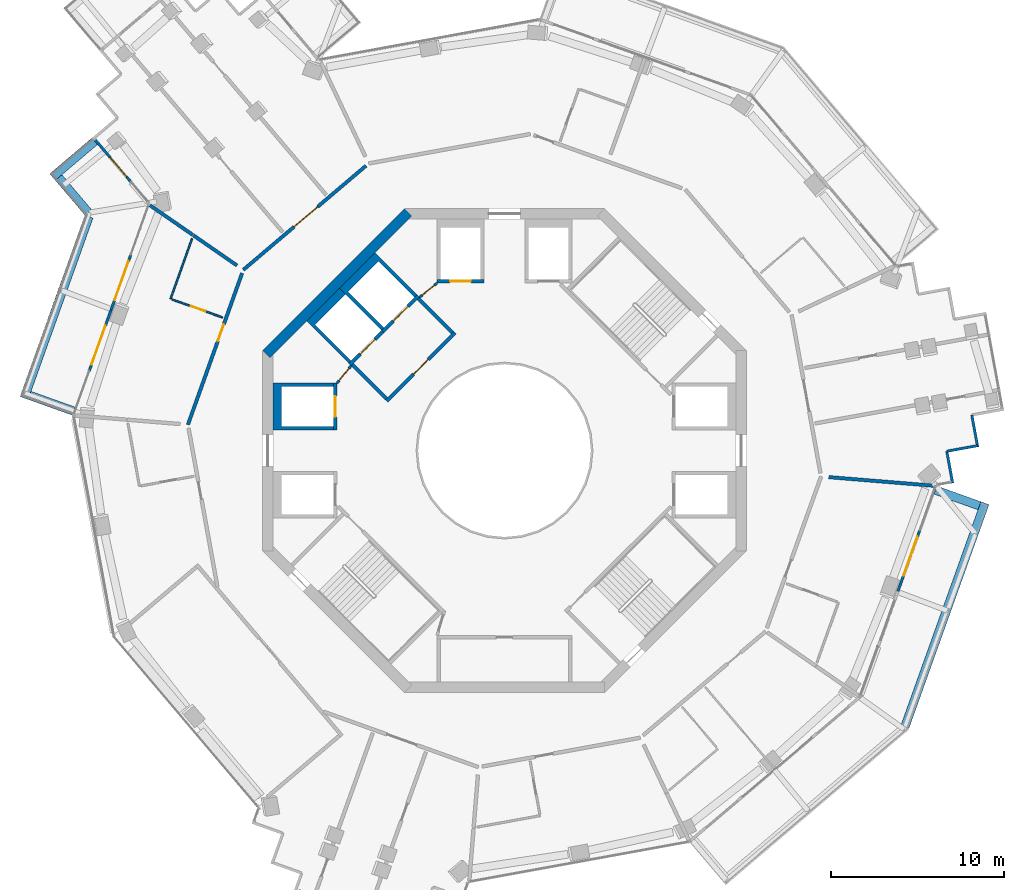
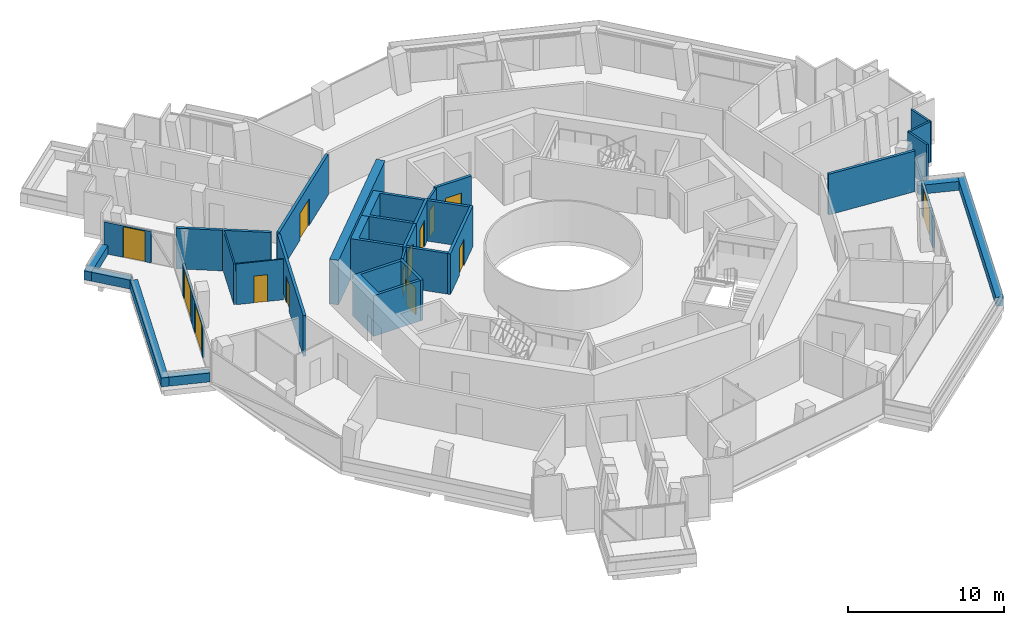
# One storey, part 16 of 21: 33 walls, 14 doors, 14 openings.
"""IFC4 building model written with IfcOpenShell, lengths in metres."""

from ifc_helpers import new_model, si_unit, direction, frame, frame_2d, origin, place, context, subcontext, project, spatial, polyline, rectangle, outline, extrude, material, layer, layer_set, type_object, element, fill, save


model = new_model("IFC4")

# Units and contexts
model_context = context("Model", 3, precision=1e-05, world=origin(), true_north=direction((0.0, 1.0)))
body_context = subcontext(model_context, "Body", "Model", "MODEL_VIEW")
ifc_project = project(units=[si_unit("LENGTHUNIT", "METRE"), si_unit("AREAUNIT", "SQUARE_METRE"), si_unit("VOLUMEUNIT", "CUBIC_METRE"), si_unit("PLANEANGLEUNIT", "RADIAN"), si_unit("MASSUNIT", "GRAM", prefix="KILO")], contexts=[model_context])

# Site, building, storey
site_placement = place(None, origin())
site = spatial("IfcSite", under=ifc_project, at=site_placement, CompositionType="ELEMENT")
building_placement = place(site_placement, origin())
building = spatial("IfcBuilding", under=site, at=building_placement, Name="Verdalira Terraces Hotel", CompositionType="ELEMENT")
storey_placement = place(building_placement, frame((0.0, 0.0, 197.5)))
storey = spatial("IfcBuildingStorey", under=building, at=storey_placement, Name="L48", CompositionType="ELEMENT", Elevation=197.5)

# Walls
ifc_material_1 = material(Name="Concrete C40", Category="concrete")
ifc_layer_1 = layer(ifc_material_1, 0.5)
ifc_layer_set_1 = layer_set([ifc_layer_1], Name="Balcony planter trough with tree")
wall_type_1 = type_object("IfcWallType", Name="Balcony planter trough with tree", PredefinedType="SOLIDWALL", material=ifc_layer_set_1)
wall_1_placement = place(storey_placement, frame((-23.720703, 17.903809, 0.0), z_axis=(0.0, 0.0, 1.0), x_axis=(-0.762441823, -0.647056773, 0.0)))
element("IfcWall", 1, at=wall_1_placement, inside=storey, type_object=wall_type_1, Name="Balcony planter", PredefinedType="SOLIDWALL", context=body_context, shape_type="SweptSolid", body=[
    extrude(rectangle(XDim=3.199219, YDim=0.5, at=frame_2d((1.599609, 0.0))), origin(), (0.0, 0.0, 1.0), 0.699951),
])
wall_2_placement = place(storey_placement, frame((-25.807373, 15.804932, 0.0), z_axis=(0.0, 0.0, 1.0), x_axis=(0.647071825, -0.762429048, 0.0)))
element("IfcWall", 2, at=wall_2_placement, inside=storey, type_object=wall_type_1, Name="Balcony planter", PredefinedType="SOLIDWALL", context=body_context, shape_type="SweptSolid", body=[
    extrude(rectangle(XDim=2.643311, YDim=0.5, at=frame_2d((1.321777, 0.0))), origin(), (0.0, 0.0, 1.0), 0.699951),
])
wall_3_placement = place(storey_placement, frame((-24.052246, 13.543457, 0.0), z_axis=(0.0, 0.0, 1.0), x_axis=(-0.336774581, -0.941585302, 0.0)))
element("IfcWall", 3, at=wall_3_placement, inside=storey, type_object=wall_type_1, Name="Balcony planter", PredefinedType="SOLIDWALL", context=body_context, shape_type="SweptSolid", body=[
    extrude(rectangle(XDim=11.152344, YDim=0.5, at=frame_2d((5.576172, 0.0))), origin(), (0.0, 0.0, 1.0), 0.699951),
])
wall_4_placement = place(storey_placement, frame((-27.488525, 3.193848, 0.0), z_axis=(0.0, 0.0, 1.0), x_axis=(0.94159448, -0.336748919, 0.0)))
element("IfcWall", 4, at=wall_4_placement, inside=storey, type_object=wall_type_1, Name="Balcony planter", PredefinedType="SOLIDWALL", context=body_context, shape_type="SweptSolid", body=[
    extrude(rectangle(XDim=2.699219, YDim=0.5, at=frame_2d((1.349609, 0.0))), origin(), (0.0, 0.0, 1.0), 0.699951),
])
wall_5_placement = place(storey_placement, frame((23.186523, -15.964355, 0.0), z_axis=(0.0, 0.0, 1.0), x_axis=(0.33676461, 0.941588869, 0.0)))
element("IfcWall", 5, at=wall_5_placement, inside=storey, type_object=wall_type_1, Name="Balcony planter", PredefinedType="SOLIDWALL", context=body_context, shape_type="SweptSolid", body=[
    extrude(rectangle(XDim=13.723389, YDim=0.5, at=frame_2d((6.861816, 0.0))), origin(), (0.0, 0.0, 1.0), 0.699951),
])
wall_6_placement = place(storey_placement, frame((27.488525, -3.193848, 0.0), z_axis=(0.0, 0.0, 1.0), x_axis=(-0.94159448, 0.336748919, 0.0)))
element("IfcWall", 6, at=wall_6_placement, inside=storey, type_object=wall_type_1, Name="Balcony planter", PredefinedType="SOLIDWALL", context=body_context, shape_type="SweptSolid", body=[
    extrude(rectangle(XDim=2.699219, YDim=0.5, at=frame_2d((1.349609, 0.0))), origin(), (0.0, 0.0, 1.0), 0.699951),
])
ifc_material_2 = material(Name="Moisture-resistant gypsum board partition")
ifc_layer_2 = layer(ifc_material_2, 0.10009765625)
ifc_layer_set_2 = layer_set([ifc_layer_2], Name="Bathroom partition 100 mm")
wall_type_2 = type_object("IfcWallType", Name="Bathroom partition 100 mm", PredefinedType="PARTITIONING", material=ifc_layer_set_2)
wall_7_placement = place(storey_placement, frame((-19.330322, 8.781006, 0.0), z_axis=(0.0, 0.0, 1.0), x_axis=(0.336737198, 0.941598672, 0.0)))
element("IfcWall", 7, at=wall_7_placement, inside=storey, type_object=wall_type_2, Name="Bathroom partition", PredefinedType="PARTITIONING", context=body_context, shape_type="SweptSolid", body=[
    extrude(rectangle(XDim=3.704102, YDim=0.100098, at=frame_2d((1.852051, 0.0))), origin(), (0.0, 0.0, 1.0), 3.189941),
])

# Wall, opening, door
wall_8_placement = place(storey_placement, frame((-19.236084, 8.747314, 0.0), z_axis=(0.0, 0.0, 1.0), x_axis=(0.941592149, -0.336755439, 0.0)))
wall_8 = element("IfcWall", 8, at=wall_8_placement, inside=storey, type_object=wall_type_2, Name="Bathroom partition", PredefinedType="PARTITIONING", context=body_context, shape_type="SweptSolid", body=[
    extrude(rectangle(XDim=3.100098, YDim=0.100098, at=frame_2d((1.550049, 0.0))), origin(), (0.0, 0.0, 1.0), 3.189941),
])
opening_1_placement = place(wall_8_placement, frame((1.149902, 0.0, 0.0)))
opening_1 = element("IfcOpeningElement", 9, at=opening_1_placement, cuts=wall_8, Name="Opening L48-105", PredefinedType="OPENING", context=body_context, shape_type="SweptSolid", body=[
    extrude(rectangle(XDim=0.899902, YDim=2.100098, at=frame_2d((0.449951, 1.050049))), frame((0.0, 0.060059, 0.0), z_axis=(0.0, -1.0, 0.0), x_axis=(1.0, 0.0, 0.0)), (0.0, 0.0, 1.0), 0.120117),
])
ifc_material_3 = material(Name="Timber door", Category="wood")
door_type_1 = type_object("IfcDoorType", Name="Bathroom door 900 x 2100", OperationType="NOTDEFINED", PredefinedType="DOOR", material=ifc_material_3)
door_1_placement = place(opening_1_placement, origin())
door_1 = element("IfcDoor", 10, at=door_1_placement, inside=storey, type_object=door_type_1, Name="Bathroom door 4802", OperationType="SINGLE_SWING_LEFT", OverallHeight=2.10009765625, OverallWidth=0.89990234375, PredefinedType="DOOR", context=body_context, shape_type="SweptSolid", body=[
    extrude(rectangle(XDim=0.899902, YDim=2.100098, at=frame_2d((0.449951, 1.050049))), frame((0.0, 0.024902, 0.0), z_axis=(0.0, -1.0, 0.0), x_axis=(1.0, 0.0, 0.0)), (0.0, 0.0, 1.0), 0.050049),
])
fill(opening_1, door_1)

ifc_material_4 = material(Name="Concrete C50", Category="concrete")
ifc_layer_3 = layer(ifc_material_4, 0.199951171875)
ifc_layer_set_3 = layer_set([ifc_layer_3], Name="Core RC wall 200 C50")
wall_type_3 = type_object("IfcWallType", Name="Core RC wall 200 C50", PredefinedType="SOLIDWALL", material=ifc_layer_set_3)
wall_9_placement = place(storey_placement, frame((-1.199951, 9.800049, 0.0), z_axis=(0.0, 0.0, 1.0), x_axis=(-1.0, 0.0, 0.0)))
wall_9 = element("IfcWall", 11, at=wall_9_placement, inside=storey, type_object=wall_type_3, Name="L48 shaft front wall N2", PredefinedType="SOLIDWALL", context=body_context, shape_type="SweptSolid", body=[
    extrude(rectangle(XDim=2.699951, YDim=0.199951, at=frame_2d((1.350098, 0.0))), origin(), (0.0, 0.0, 1.0), 3.189941),
])
opening_2_placement = place(wall_9_placement, frame((0.75, 0.0, 0.0)))
opening_2 = element("IfcOpeningElement", 12, at=opening_2_placement, cuts=wall_9, Name="Opening LD-L48-805", PredefinedType="OPENING", context=body_context, shape_type="SweptSolid", body=[
    extrude(rectangle(XDim=1.199951, YDim=2.100098, at=frame_2d((0.600098, 1.050049))), frame((0.0, 0.109863, 0.0), z_axis=(0.0, -1.0, 0.0), x_axis=(1.0, 0.0, 0.0)), (0.0, 0.0, 1.0), 0.219971),
])
ifc_material_5 = material(Name="Stainless steel", Category="steel")
door_type_2 = type_object("IfcDoorType", Name="Landing door 1200 x 2100", OperationType="NOTDEFINED", PredefinedType="DOOR", material=ifc_material_5)
door_2_placement = place(opening_2_placement, origin())
door_2 = element("IfcDoor", 13, at=door_2_placement, inside=storey, type_object=door_type_2, Name="Lift landing door HR4 L48", OperationType="DOUBLE_DOOR_SLIDING", OverallHeight=2.10009765625, OverallWidth=1.199951171875, PredefinedType="DOOR", context=body_context, shape_type="SweptSolid", body=[
    extrude(rectangle(XDim=1.199951, YDim=2.100098, at=frame_2d((0.600098, 1.050049))), frame((0.0, 0.024902, 0.0), z_axis=(0.0, -1.0, 0.0), x_axis=(1.0, 0.0, 0.0)), (0.0, 0.0, 1.0), 0.050049),
])
fill(opening_2, door_2)

# Wall
wall_10_placement = place(storey_placement, origin())
element("IfcWall", 14, at=wall_10_placement, inside=storey, type_object=wall_type_3, Name="L48 shaft wall W1", PredefinedType="SOLIDWALL", context=body_context, shape_type="SweptSolid", body=[
    extrude(outline(polyline([(-13.399902, 3.899902), (-9.899902, 3.899902), (-9.899902, 3.699951), (-12.899902, 3.699951), (-12.899902, 1.399902), (-9.899902, 1.399902), (-9.899902, 1.199951), (-13.399902, 1.199951), (-13.399902, 3.899902)])), origin(), (0.0, 0.0, 1.0), 3.189941),
])

# Wall, opening, door
wall_11_placement = place(storey_placement, frame((-9.800049, 1.199951, 0.0), z_axis=(0.0, 0.0, 1.0), x_axis=(0.0, 1.0, 0.0)))
wall_11 = element("IfcWall", 15, at=wall_11_placement, inside=storey, type_object=wall_type_3, Name="L48 shaft front wall W1", PredefinedType="SOLIDWALL", context=body_context, shape_type="SweptSolid", body=[
    extrude(rectangle(XDim=2.699951, YDim=0.199951, at=frame_2d((1.350098, 0.0))), origin(), (0.0, 0.0, 1.0), 3.189941),
])
opening_3_placement = place(wall_11_placement, frame((0.75, 0.0, 0.0)))
opening_3 = element("IfcOpeningElement", 16, at=opening_3_placement, cuts=wall_11, Name="Opening LD-L48-806", PredefinedType="OPENING", context=body_context, shape_type="SweptSolid", body=[
    extrude(rectangle(XDim=1.199951, YDim=2.100098, at=frame_2d((0.600098, 1.050049))), frame((0.0, 0.109863, 0.0), z_axis=(0.0, -1.0, 0.0), x_axis=(1.0, 0.0, 0.0)), (0.0, 0.0, 1.0), 0.219971),
])
door_3_placement = place(opening_3_placement, origin())
door_3 = element("IfcDoor", 17, at=door_3_placement, inside=storey, type_object=door_type_2, Name="Lift landing door HR5 L48", OperationType="DOUBLE_DOOR_SLIDING", OverallHeight=2.10009765625, OverallWidth=1.199951171875, PredefinedType="DOOR", context=body_context, shape_type="SweptSolid", body=[
    extrude(rectangle(XDim=1.199951, YDim=2.100098, at=frame_2d((0.600098, 1.050049))), frame((0.0, 0.024902, 0.0), z_axis=(0.0, -1.0, 0.0), x_axis=(1.0, 0.0, 0.0)), (0.0, 0.0, 1.0), 0.050049),
])
fill(opening_3, door_3)

# Wall
wall_12_placement = place(storey_placement, origin())
element("IfcWall", 18, at=wall_12_placement, inside=storey, type_object=wall_type_3, Name="L48 shaft wall F1", PredefinedType="SOLIDWALL", context=body_context, shape_type="SweptSolid", body=[
    extrude(outline(polyline([(-9.545898, 9.404541), (-7.495361, 11.455078), (-5.055908, 9.015625), (-5.197266, 8.874268), (-7.283203, 10.960205), (-9.051025, 9.192383), (-6.965088, 7.106445), (-7.106445, 6.965088), (-9.545898, 9.404541)])), origin(), (0.0, 0.0, 1.0), 3.189941),
])

# Wall, opening, door
wall_13_placement = place(storey_placement, frame((-4.985107, 8.944824, 0.0), z_axis=(0.0, 0.0, 1.0), x_axis=(-0.707106781, -0.707106781, 0.0)))
wall_13 = element("IfcWall", 19, at=wall_13_placement, inside=storey, type_object=wall_type_3, Name="L48 shaft front wall F1", PredefinedType="SOLIDWALL", context=body_context, shape_type="SweptSolid", body=[
    extrude(rectangle(XDim=2.899902, YDim=0.199951, at=frame_2d((1.449951, 0.0))), origin(), (0.0, 0.0, 1.0), 3.189941),
])
opening_4_placement = place(wall_13_placement, frame((0.850098, 0.0, 0.0)))
opening_4 = element("IfcOpeningElement", 20, at=opening_4_placement, cuts=wall_13, Name="Opening LD-L48-808", PredefinedType="OPENING", context=body_context, shape_type="SweptSolid", body=[
    extrude(rectangle(XDim=1.199951, YDim=2.100098, at=frame_2d((0.600098, 1.050049))), frame((0.0, 0.109863, 0.0), z_axis=(0.0, -1.0, 0.0), x_axis=(1.0, 0.0, 0.0)), (0.0, 0.0, 1.0), 0.219971),
])
door_4_placement = place(opening_4_placement, origin())
door_4 = element("IfcDoor", 21, at=door_4_placement, inside=storey, type_object=door_type_2, Name="Lift landing door LF11 L48", OperationType="DOUBLE_DOOR_SLIDING", OverallHeight=2.10009765625, OverallWidth=1.199951171875, PredefinedType="DOOR", context=body_context, shape_type="SweptSolid", body=[
    extrude(rectangle(XDim=1.199951, YDim=2.100098, at=frame_2d((0.600098, 1.050049))), frame((0.0, 0.024902, 0.0), z_axis=(0.0, -1.0, 0.0), x_axis=(1.0, 0.0, 0.0)), (0.0, 0.0, 1.0), 0.050049),
])
fill(opening_4, door_4)

# Wall
wall_14_placement = place(storey_placement, origin())
element("IfcWall", 22, at=wall_14_placement, inside=storey, type_object=wall_type_3, Name="L48 shaft wall F2", PredefinedType="SOLIDWALL", context=body_context, shape_type="SweptSolid", body=[
    extrude(outline(polyline([(-11.455078, 7.495361), (-9.545898, 9.404541), (-9.192383, 9.051025), (-10.960205, 7.283203), (-8.874268, 5.197266), (-9.015625, 5.055908), (-11.455078, 7.495361)])), origin(), (0.0, 0.0, 1.0), 3.189941),
])

# Wall, opening, door
wall_15_placement = place(storey_placement, frame((-7.035645, 6.894287, 0.0), z_axis=(0.0, 0.0, 1.0), x_axis=(-0.707106781, -0.707106781, 0.0)))
wall_15 = element("IfcWall", 23, at=wall_15_placement, inside=storey, type_object=wall_type_3, Name="L48 shaft front wall F2", PredefinedType="SOLIDWALL", context=body_context, shape_type="SweptSolid", body=[
    extrude(rectangle(XDim=2.699951, YDim=0.199951, at=frame_2d((1.350098, 0.0))), origin(), (0.0, 0.0, 1.0), 3.189941),
])
opening_5_placement = place(wall_15_placement, frame((0.649902, 0.0, 0.0)))
opening_5 = element("IfcOpeningElement", 24, at=opening_5_placement, cuts=wall_15, Name="Opening LD-L48-809", PredefinedType="OPENING", context=body_context, shape_type="SweptSolid", body=[
    extrude(rectangle(XDim=1.199951, YDim=2.100098, at=frame_2d((0.600098, 1.050049))), frame((0.0, 0.109863, 0.0), z_axis=(0.0, -1.0, 0.0), x_axis=(1.0, 0.0, 0.0)), (0.0, 0.0, 1.0), 0.219971),
])
door_5_placement = place(opening_5_placement, origin())
door_5 = element("IfcDoor", 25, at=door_5_placement, inside=storey, type_object=door_type_2, Name="Lift landing door LF12 L48", OperationType="DOUBLE_DOOR_SLIDING", OverallHeight=2.10009765625, OverallWidth=1.199951171875, PredefinedType="DOOR", context=body_context, shape_type="SweptSolid", body=[
    extrude(rectangle(XDim=1.199951, YDim=2.100098, at=frame_2d((0.600098, 1.050049))), frame((0.0, 0.024902, 0.0), z_axis=(0.0, -1.0, 0.0), x_axis=(1.0, 0.0, 0.0)), (0.0, 0.0, 1.0), 0.050049),
])
fill(opening_5, door_5)

wall_16_placement = place(storey_placement, frame((-2.86377, 6.823486, 0.0), z_axis=(0.0, 0.0, 1.0), x_axis=(-0.707106781, -0.707106781, 0.0)))
wall_16 = element("IfcWall", 26, at=wall_16_placement, inside=storey, type_object=wall_type_3, Name="L48 fire lobby wall", PredefinedType="SOLIDWALL", context=body_context, shape_type="SweptSolid", body=[
    extrude(rectangle(XDim=5.599854, YDim=0.199951, at=frame_2d((2.799805, 0.0))), origin(), (0.0, 0.0, 1.0), 3.189941),
])
opening_6_placement = place(wall_16_placement, frame((2.199951, 0.0, 0.0)))
opening_6 = element("IfcOpeningElement", 27, at=opening_6_placement, cuts=wall_16, Name="Opening L48-819", PredefinedType="OPENING", context=body_context, shape_type="SweptSolid", body=[
    extrude(rectangle(XDim=1.199951, YDim=2.100098, at=frame_2d((0.600098, 1.050049))), frame((0.0, 0.109863, 0.0), z_axis=(0.0, -1.0, 0.0), x_axis=(1.0, 0.0, 0.0)), (0.0, 0.0, 1.0), 0.219971),
])
ifc_material_6 = material(Name="Steel fire door", Category="steel")
door_type_3 = type_object("IfcDoorType", Name="Lobby door 1200 x 2100", OperationType="NOTDEFINED", PredefinedType="DOOR", material=ifc_material_6)
door_6_placement = place(opening_6_placement, origin())
door_6 = element("IfcDoor", 28, at=door_6_placement, inside=storey, type_object=door_type_3, Name="Fire lobby door L48", OperationType="SINGLE_SWING_LEFT", OverallHeight=2.10009765625, OverallWidth=1.199951171875, PredefinedType="DOOR", context=body_context, shape_type="SweptSolid", body=[
    extrude(rectangle(XDim=1.199951, YDim=2.100098, at=frame_2d((0.600098, 1.050049))), frame((0.0, 0.024902, 0.0), z_axis=(0.0, -1.0, 0.0), x_axis=(1.0, 0.0, 0.0)), (0.0, 0.0, 1.0), 0.050049),
])
fill(opening_6, door_6)

# Walls
for number, where, z_axis, x_axis, name in (
    (29, (-3.005127, 6.823486, 0.0), (0.0, 0.0, 1.0), (-0.707106781, 0.707106781, 0.0), "L48 fire lobby wall"),
    (30, (-6.823486, 3.005127, 0.0), (0.0, 0.0, 1.0), (-0.707106781, 0.707106781, 0.0), "L48 fire lobby wall"),
):
    element("IfcWall", number, at=place(storey_placement, frame(where, z_axis=z_axis, x_axis=x_axis)), inside=storey, type_object=wall_type_3, Name=name, PredefinedType="SOLIDWALL", context=body_context, shape_type="SweptSolid", body=[
        extrude(rectangle(XDim=2.800049, YDim=0.199951, at=frame_2d((1.399902, 0.0))), origin(), (0.0, 0.0, 1.0), 3.189941),
    ])

# Wall, opening, door
ifc_material_7 = material(Name="Gypsum board partition")
ifc_layer_4 = layer(ifc_material_7, 0.14990234375)
ifc_layer_set_4 = layer_set([ifc_layer_4], Name="Core partition 150 mm")
wall_type_4 = type_object("IfcWallType", Name="Core partition 150 mm", PredefinedType="PARTITIONING", material=ifc_layer_set_4)
wall_17_placement = place(storey_placement, frame((-3.899902, 9.699951, 0.0), z_axis=(0.0, 0.0, 1.0), x_axis=(-0.775559878, -0.631274009, 0.0)))
wall_17 = element("IfcWall", 31, at=wall_17_placement, inside=storey, type_object=wall_type_4, Name="Room partition L48", PredefinedType="PARTITIONING", context=body_context, shape_type="SweptSolid", body=[
    extrude(rectangle(XDim=1.307861, YDim=0.149902, at=frame_2d((0.653809, 0.0))), origin(), (0.0, 0.0, 1.0), 3.189941),
])
opening_7_placement = place(wall_17_placement, frame((0.204102, 0.0, 0.0)))
opening_7 = element("IfcOpeningElement", 32, at=opening_7_placement, cuts=wall_17, Name="Opening L48-820", PredefinedType="OPENING", context=body_context, shape_type="SweptSolid", body=[
    extrude(rectangle(XDim=0.899902, YDim=2.100098, at=frame_2d((0.449951, 1.050049))), frame((0.0, 0.084961, 0.0), z_axis=(0.0, -1.0, 0.0), x_axis=(1.0, 0.0, 0.0)), (0.0, 0.0, 1.0), 0.169922),
])
ifc_material_8 = material(Name="Steel fire door", Category="steel")
door_type_4 = type_object("IfcDoorType", Name="Core room door 900 x 2100", OperationType="NOTDEFINED", PredefinedType="DOOR", material=ifc_material_8)
door_7_placement = place(opening_7_placement, origin())
door_7 = element("IfcDoor", 33, at=door_7_placement, inside=storey, type_object=door_type_4, Name="Door L48 room2", OperationType="SINGLE_SWING_LEFT", OverallHeight=2.10009765625, OverallWidth=0.89990234375, PredefinedType="DOOR", context=body_context, shape_type="SweptSolid", body=[
    extrude(rectangle(XDim=0.899902, YDim=2.100098, at=frame_2d((0.449951, 1.050049))), frame((0.0, 0.024902, 0.0), z_axis=(0.0, -1.0, 0.0), x_axis=(1.0, 0.0, 0.0)), (0.0, 0.0, 1.0), 0.050049),
])
fill(opening_7, door_7)

wall_18_placement = place(storey_placement, frame((-8.874268, 4.914307, 0.0), z_axis=(0.0, 0.0, 1.0), x_axis=(-0.631274009, -0.775559878, 0.0)))
wall_18 = element("IfcWall", 34, at=wall_18_placement, inside=storey, type_object=wall_type_4, Name="Room partition L48", PredefinedType="PARTITIONING", context=body_context, shape_type="SweptSolid", body=[
    extrude(rectangle(XDim=1.307861, YDim=0.149902, at=frame_2d((0.653809, 0.0))), origin(), (0.0, 0.0, 1.0), 3.189941),
])
opening_8_placement = place(wall_18_placement, frame((0.204102, 0.0, 0.0)))
opening_8 = element("IfcOpeningElement", 35, at=opening_8_placement, cuts=wall_18, Name="Opening L48-821", PredefinedType="OPENING", context=body_context, shape_type="SweptSolid", body=[
    extrude(rectangle(XDim=0.899902, YDim=2.100098, at=frame_2d((0.449951, 1.050049))), frame((0.0, 0.084961, 0.0), z_axis=(0.0, -1.0, 0.0), x_axis=(1.0, 0.0, 0.0)), (0.0, 0.0, 1.0), 0.169922),
])
door_8_placement = place(opening_8_placement, origin())
door_8 = element("IfcDoor", 36, at=door_8_placement, inside=storey, type_object=door_type_4, Name="Door L48 room3", OperationType="SINGLE_SWING_LEFT", OverallHeight=2.10009765625, OverallWidth=0.89990234375, PredefinedType="DOOR", context=body_context, shape_type="SweptSolid", body=[
    extrude(rectangle(XDim=0.899902, YDim=2.100098, at=frame_2d((0.449951, 1.050049))), frame((0.0, 0.024902, 0.0), z_axis=(0.0, -1.0, 0.0), x_axis=(1.0, 0.0, 0.0)), (0.0, 0.0, 1.0), 0.050049),
])
fill(opening_8, door_8)

# Walls
ifc_material_9 = material(Name="Concrete C60", Category="concrete")
ifc_layer_5 = layer(ifc_material_9, 0.60009765625)
ifc_layer_set_5 = layer_set([ifc_layer_5], Name="Core wall 600 C60")
wall_type_5 = type_object("IfcWallType", Name="Core wall 600 C60", PredefinedType="SHEAR", material=ifc_layer_set_5)
wall_19_placement = place(storey_placement, frame((-5.586914, 13.787842, 0.0), z_axis=(0.0, 0.0, 1.0), x_axis=(-0.707106781, -0.707106781, 0.0)))
element("IfcWall", 37, at=wall_19_placement, inside=storey, type_object=wall_type_5, Name="Core wall CW-L48-4", PredefinedType="SHEAR", context=body_context, shape_type="SweptSolid", body=[
    extrude(rectangle(XDim=11.5979, YDim=0.600098, at=frame_2d((5.798828, 0.0))), origin(), (0.0, 0.0, 1.0), 3.5),
])
ifc_material_10 = material(Name="Fire-rated gypsum board wall")
ifc_layer_6 = layer(ifc_material_10, 0.199951171875)
ifc_layer_set_6 = layer_set([ifc_layer_6], Name="Demising wall 200 mm")
wall_type_6 = type_object("IfcWallType", Name="Demising wall 200 mm", PredefinedType="SOLIDWALL", material=ifc_layer_set_6)
wall_20_placement = place(storey_placement, frame((-18.05249, 12.490967, 0.0), z_axis=(0.0, 0.0, 1.0), x_axis=(-0.822373098, 0.568948581, 0.0)))
element("IfcWall", 38, at=wall_20_placement, inside=storey, type_object=wall_type_6, Name="Demising wall", PredefinedType="SOLIDWALL", context=body_context, shape_type="SweptSolid", body=[
    extrude(rectangle(XDim=3.011475, YDim=0.199951, at=frame_2d((1.505859, 0.0))), origin(), (0.0, 0.0, 1.0), 3.189941),
])
wall_21_placement = place(storey_placement, frame((-15.486328, 10.715332, 0.0), z_axis=(0.0, 0.0, 1.0), x_axis=(-0.822349373, 0.568982872, 0.0)))
element("IfcWall", 39, at=wall_21_placement, inside=storey, type_object=wall_type_6, Name="Demising wall", PredefinedType="SOLIDWALL", context=body_context, shape_type="SweptSolid", body=[
    extrude(rectangle(XDim=3.074707, YDim=0.199951, at=frame_2d((1.537354, 0.0))), origin(), (0.0, 0.0, 1.0), 3.189941),
])
wall_22_placement = place(storey_placement, frame((24.880859, -2.036865, 0.0), z_axis=(0.0, 0.0, 1.0), x_axis=(-0.996666868, 0.081579132, 0.0)))
element("IfcWall", 40, at=wall_22_placement, inside=storey, type_object=wall_type_6, Name="Demising wall", PredefinedType="SOLIDWALL", context=body_context, shape_type="SweptSolid", body=[
    extrude(rectangle(XDim=6.13208, YDim=0.199951, at=frame_2d((3.065918, 0.0))), origin(), (0.0, 0.0, 1.0), 3.189941),
])

# Wall, opening, door
ifc_material_11 = material(Name="Fire-rated gypsum board wall")
ifc_layer_7 = layer(ifc_material_11, 0.199951171875)
ifc_layer_set_7 = layer_set([ifc_layer_7], Name="Guest corridor wall 200 mm")
wall_type_7 = type_object("IfcWallType", Name="Guest corridor wall 200 mm", PredefinedType="SOLIDWALL", material=ifc_layer_set_7)
wall_23_placement = place(storey_placement, frame((-18.323486, 1.5, 0.0), z_axis=(0.0, 0.0, 1.0), x_axis=(0.336758012, 0.941591228, 0.0)))
wall_23 = element("IfcWall", 41, at=wall_23_placement, inside=storey, type_object=wall_type_7, Name="Guest corridor wall", PredefinedType="SOLIDWALL", context=body_context, shape_type="SweptSolid", body=[
    extrude(rectangle(XDim=9.31665, YDim=0.199951, at=frame_2d((4.658203, 0.0))), origin(), (0.0, 0.0, 1.0), 3.189941),
])
opening_9_placement = place(wall_23_placement, frame((5.149902, 0.0, 0.0)))
opening_9 = element("IfcOpeningElement", 42, at=opening_9_placement, cuts=wall_23, Name="Opening L48-104", PredefinedType="OPENING", context=body_context, shape_type="SweptSolid", body=[
    extrude(rectangle(XDim=1.0, YDim=2.100098, at=frame_2d((0.5, 1.050049))), frame((0.0, 0.109863, 0.0), z_axis=(0.0, -1.0, 0.0), x_axis=(1.0, 0.0, 0.0)), (0.0, 0.0, 1.0), 0.219971),
])
ifc_material_12 = material(Name="Timber fire door", Category="wood")
door_type_5 = type_object("IfcDoorType", Name="Guest entry door 1000 x 2100", OperationType="NOTDEFINED", PredefinedType="DOOR", material=ifc_material_12)
door_9_placement = place(opening_9_placement, origin())
door_9 = element("IfcDoor", 43, at=door_9_placement, inside=storey, type_object=door_type_5, Name="Guest entry door 4802", OperationType="SINGLE_SWING_LEFT", OverallHeight=2.10009765625, OverallWidth=1.0, PredefinedType="DOOR", context=body_context, shape_type="SweptSolid", body=[
    extrude(rectangle(XDim=1.0, YDim=2.100098, at=frame_2d((0.5, 1.050049))), frame((0.0, 0.024902, 0.0), z_axis=(0.0, -1.0, 0.0), x_axis=(1.0, 0.0, 0.0)), (0.0, 0.0, 1.0), 0.050049),
])
fill(opening_9, door_9)

wall_24_placement = place(storey_placement, frame((-15.118652, 10.460693, 0.0), z_axis=(0.0, 0.0, 1.0), x_axis=(0.762438227, 0.64706101, 0.0)))
wall_24 = element("IfcWall", 44, at=wall_24_placement, inside=storey, type_object=wall_type_7, Name="Guest corridor wall", PredefinedType="SOLIDWALL", context=body_context, shape_type="SweptSolid", body=[
    extrude(rectangle(XDim=9.316895, YDim=0.199951, at=frame_2d((4.658447, 0.0))), origin(), (0.0, 0.0, 1.0), 3.189941),
])
opening_10_placement = place(wall_24_placement, frame((3.853027, 0.0, 0.0)))
opening_10 = element("IfcOpeningElement", 45, at=opening_10_placement, cuts=wall_24, Name="Opening L48-101", PredefinedType="OPENING", context=body_context, shape_type="SweptSolid", body=[
    extrude(rectangle(XDim=1.800049, YDim=2.100098, at=frame_2d((0.899902, 1.050049))), frame((0.0, 0.109863, 0.0), z_axis=(0.0, -1.0, 0.0), x_axis=(1.0, 0.0, 0.0)), (0.0, 0.0, 1.0), 0.219971),
])
ifc_material_13 = material(Name="Timber fire door", Category="wood")
door_type_6 = type_object("IfcDoorType", Name="Public room double door 1800 x 2100", OperationType="NOTDEFINED", PredefinedType="DOOR", material=ifc_material_13)
door_10_placement = place(opening_10_placement, origin())
door_10 = element("IfcDoor", 46, at=door_10_placement, inside=storey, type_object=door_type_6, Name="Public room double door 4801", OperationType="DOUBLE_DOOR_SINGLE_SWING", OverallHeight=2.10009765625, OverallWidth=1.800048828125, PredefinedType="DOOR", context=body_context, shape_type="SweptSolid", body=[
    extrude(rectangle(XDim=1.800049, YDim=2.100098, at=frame_2d((0.899902, 1.050049))), frame((0.0, 0.024902, 0.0), z_axis=(0.0, -1.0, 0.0), x_axis=(1.0, 0.0, 0.0)), (0.0, 0.0, 1.0), 0.050049),
])
fill(opening_10, door_10)

# Walls
ifc_material_14 = material(Name="Terracotta cladding", Category="masonry")
ifc_layer_8 = layer(ifc_material_14, 0.14990234375)
ifc_layer_set_8 = layer_set([ifc_layer_8], Name="Terracotta clad wall 150")
wall_type_8 = type_object("IfcWallType", Name="Terracotta clad wall 150", PredefinedType="SOLIDWALL", material=ifc_layer_set_8)
wall_25_placement = place(storey_placement, frame((25.94043, -1.883301, 0.0), z_axis=(0.0, 0.0, 1.0), x_axis=(-0.179160422, 0.983819873, 0.0)))
element("IfcWall", 47, at=wall_25_placement, inside=storey, type_object=wall_type_8, Name="Terracotta cladding wall", PredefinedType="SOLIDWALL", context=body_context, shape_type="SweptSolid", body=[
    extrude(rectangle(XDim=1.875, YDim=0.149902, at=frame_2d((0.9375, 0.0))), origin(), (0.0, 0.0, 1.0), 3.189941),
])
wall_26_placement = place(storey_placement, frame((25.604492, -0.038574, 0.0), z_axis=(0.0, 0.0, 1.0), x_axis=(0.983839511, 0.179052551, 0.0)))
element("IfcWall", 48, at=wall_26_placement, inside=storey, type_object=wall_type_8, Name="Terracotta cladding wall", PredefinedType="SOLIDWALL", context=body_context, shape_type="SweptSolid", body=[
    extrude(rectangle(XDim=1.799805, YDim=0.149902, at=frame_2d((0.899902, 0.0))), origin(), (0.0, 0.0, 1.0), 3.189941),
])
wall_27_placement = place(storey_placement, frame((27.388672, 0.209961, 0.0), z_axis=(0.0, 0.0, 1.0), x_axis=(-0.179034393, 0.983842816, 0.0)))
element("IfcWall", 49, at=wall_27_placement, inside=storey, type_object=wall_type_8, Name="Terracotta cladding wall", PredefinedType="SOLIDWALL", context=body_context, shape_type="SweptSolid", body=[
    extrude(rectangle(XDim=1.875, YDim=0.149902, at=frame_2d((0.9375, 0.0))), origin(), (0.0, 0.0, 1.0), 3.189941),
])

# Wall, opening, door
ifc_material_15 = material(Name="Terracotta cladding", Category="masonry")
ifc_layer_9 = layer(ifc_material_15, 0.14990234375)
ifc_layer_set_9 = layer_set([ifc_layer_9], Name="Terracotta door pier 150")
wall_type_9 = type_object("IfcWallType", Name="Terracotta door pier 150", PredefinedType="SOLIDWALL", material=ifc_layer_set_9)
wall_28_placement = place(storey_placement, frame((-23.682373, 17.97583, 0.0), z_axis=(0.0, 0.0, 1.0), x_axis=(0.647063202, -0.762436366, 0.0)))
wall_28 = element("IfcWall", 50, at=wall_28_placement, inside=storey, type_object=wall_type_9, Name="Terracotta door pier", PredefinedType="SOLIDWALL", context=body_context, shape_type="SweptSolid", body=[
    extrude(rectangle(XDim=3.210205, YDim=0.149902, at=frame_2d((1.60498, 0.0))), origin(), (0.0, 0.0, 1.0), 2.475098),
])
opening_11_placement = place(wall_28_placement, frame((1.310059, 0.0, 0.0)))
opening_11 = element("IfcOpeningElement", 51, at=opening_11_placement, cuts=wall_28, Name="Opening L48-B03", PredefinedType="OPENING", context=body_context, shape_type="SweptSolid", body=[
    extrude(rectangle(XDim=1.5, YDim=2.399902, at=frame_2d((0.75, 1.199951))), frame((0.0, 0.084961, 0.0), z_axis=(0.0, -1.0, 0.0), x_axis=(1.0, 0.0, 0.0)), (0.0, 0.0, 1.0), 0.169922),
])
ifc_material_16 = material(Name="Clear glass", Category="glass")
door_type_7 = type_object("IfcDoorType", Name="Balcony sliding door 1500x2400", OperationType="NOTDEFINED", PredefinedType="DOOR", material=ifc_material_16)
door_11_placement = place(opening_11_placement, origin())
door_11 = element("IfcDoor", 52, at=door_11_placement, inside=storey, type_object=door_type_7, Name="Balcony sliding door", OperationType="SLIDING_TO_LEFT", OverallHeight=2.39990234375, OverallWidth=1.5, PredefinedType="DOOR", context=body_context, shape_type="SweptSolid", body=[
    extrude(rectangle(XDim=1.5, YDim=2.399902, at=frame_2d((0.75, 1.199951))), frame((0.0, 0.024902, 0.0), z_axis=(0.0, -1.0, 0.0), x_axis=(1.0, 0.0, 0.0)), (0.0, 0.0, 1.0), 0.050049),
])
fill(opening_11, door_11)

wall_29_placement = place(storey_placement, frame((-21.625732, 11.345459, 0.0), z_axis=(0.0, 0.0, 1.0), x_axis=(-0.336768495, -0.941587479, 0.0)))
wall_29 = element("IfcWall", 53, at=wall_29_placement, inside=storey, type_object=wall_type_9, Name="Terracotta door pier", PredefinedType="SOLIDWALL", context=body_context, shape_type="SweptSolid", body=[
    extrude(rectangle(XDim=3.399902, YDim=0.149902, at=frame_2d((1.699951, 0.0))), origin(), (0.0, 0.0, 1.0), 2.475098),
])
opening_12_placement = place(wall_29_placement, frame((0.399902, 0.0, 0.0)))
opening_12 = element("IfcOpeningElement", 54, at=opening_12_placement, cuts=wall_29, Name="Opening L48-B04", PredefinedType="OPENING", context=body_context, shape_type="SweptSolid", body=[
    extrude(rectangle(XDim=2.399902, YDim=2.399902, at=frame_2d((1.199951, 1.199951))), frame((0.0, 0.084961, 0.0), z_axis=(0.0, -1.0, 0.0), x_axis=(1.0, 0.0, 0.0)), (0.0, 0.0, 1.0), 0.169922),
])
ifc_material_17 = material(Name="Clear glass", Category="glass")
door_type_8 = type_object("IfcDoorType", Name="Balcony sliding door 2400x2400", OperationType="NOTDEFINED", PredefinedType="DOOR", material=ifc_material_17)
door_12_placement = place(opening_12_placement, origin())
door_12 = element("IfcDoor", 55, at=door_12_placement, inside=storey, type_object=door_type_8, Name="Balcony sliding door", OperationType="SLIDING_TO_RIGHT", OverallHeight=2.39990234375, OverallWidth=2.39990234375, PredefinedType="DOOR", context=body_context, shape_type="SweptSolid", body=[
    extrude(rectangle(XDim=2.399902, YDim=2.399902, at=frame_2d((1.199951, 1.199951))), frame((0.0, 0.024902, 0.0), z_axis=(0.0, -1.0, 0.0), x_axis=(1.0, 0.0, 0.0)), (0.0, 0.0, 1.0), 0.050049),
])
fill(opening_12, door_12)

wall_30_placement = place(storey_placement, frame((-22.770752, 8.144043, 0.0), z_axis=(0.0, 0.0, 1.0), x_axis=(-0.336755785, -0.941592025, 0.0)))
wall_30 = element("IfcWall", 56, at=wall_30_placement, inside=storey, type_object=wall_type_9, Name="Terracotta door pier", PredefinedType="SOLIDWALL", context=body_context, shape_type="SweptSolid", body=[
    extrude(rectangle(XDim=3.76123, YDim=0.149902, at=frame_2d((1.880615, 0.0))), origin(), (0.0, 0.0, 1.0), 2.475098),
])
opening_13_placement = place(wall_30_placement, frame((0.961182, 0.0, 0.0)))
opening_13 = element("IfcOpeningElement", 57, at=opening_13_placement, cuts=wall_30, Name="Opening L48-B05", PredefinedType="OPENING", context=body_context, shape_type="SweptSolid", body=[
    extrude(rectangle(XDim=2.399902, YDim=2.399902, at=frame_2d((1.199951, 1.199951))), frame((0.0, 0.084961, 0.0), z_axis=(0.0, -1.0, 0.0), x_axis=(1.0, 0.0, 0.0)), (0.0, 0.0, 1.0), 0.169922),
])
door_13_placement = place(opening_13_placement, origin())
door_13 = element("IfcDoor", 58, at=door_13_placement, inside=storey, type_object=door_type_8, Name="Balcony sliding door", OperationType="SLIDING_TO_LEFT", OverallHeight=2.39990234375, OverallWidth=2.39990234375, PredefinedType="DOOR", context=body_context, shape_type="SweptSolid", body=[
    extrude(rectangle(XDim=2.399902, YDim=2.399902, at=frame_2d((1.199951, 1.199951))), frame((0.0, 0.024902, 0.0), z_axis=(0.0, -1.0, 0.0), x_axis=(1.0, 0.0, 0.0)), (0.0, 0.0, 1.0), 0.050049),
])
fill(opening_13, door_13)

wall_31_placement = place(storey_placement, frame((22.770752, -8.144043, 0.0), z_axis=(0.0, 0.0, 1.0), x_axis=(0.336755785, 0.941592025, 0.0)))
wall_31 = element("IfcWall", 59, at=wall_31_placement, inside=storey, type_object=wall_type_9, Name="Terracotta door pier", PredefinedType="SOLIDWALL", context=body_context, shape_type="SweptSolid", body=[
    extrude(rectangle(XDim=3.76123, YDim=0.149902, at=frame_2d((1.880615, 0.0))), origin(), (0.0, 0.0, 1.0), 2.475098),
])
opening_14_placement = place(wall_31_placement, frame((0.961182, 0.0, 0.0)))
opening_14 = element("IfcOpeningElement", 60, at=opening_14_placement, cuts=wall_31, Name="Opening L48-B10", PredefinedType="OPENING", context=body_context, shape_type="SweptSolid", body=[
    extrude(rectangle(XDim=2.399902, YDim=2.399902, at=frame_2d((1.199951, 1.199951))), frame((0.0, 0.084961, 0.0), z_axis=(0.0, -1.0, 0.0), x_axis=(1.0, 0.0, 0.0)), (0.0, 0.0, 1.0), 0.169922),
])
door_14_placement = place(opening_14_placement, origin())
door_14 = element("IfcDoor", 61, at=door_14_placement, inside=storey, type_object=door_type_8, Name="Balcony sliding door", OperationType="SLIDING_TO_LEFT", OverallHeight=2.39990234375, OverallWidth=2.39990234375, PredefinedType="DOOR", context=body_context, shape_type="SweptSolid", body=[
    extrude(rectangle(XDim=2.399902, YDim=2.399902, at=frame_2d((1.199951, 1.199951))), frame((0.0, 0.024902, 0.0), z_axis=(0.0, -1.0, 0.0), x_axis=(1.0, 0.0, 0.0)), (0.0, 0.0, 1.0), 0.050049),
])
fill(opening_14, door_14)

save(model, "model.ifc")
